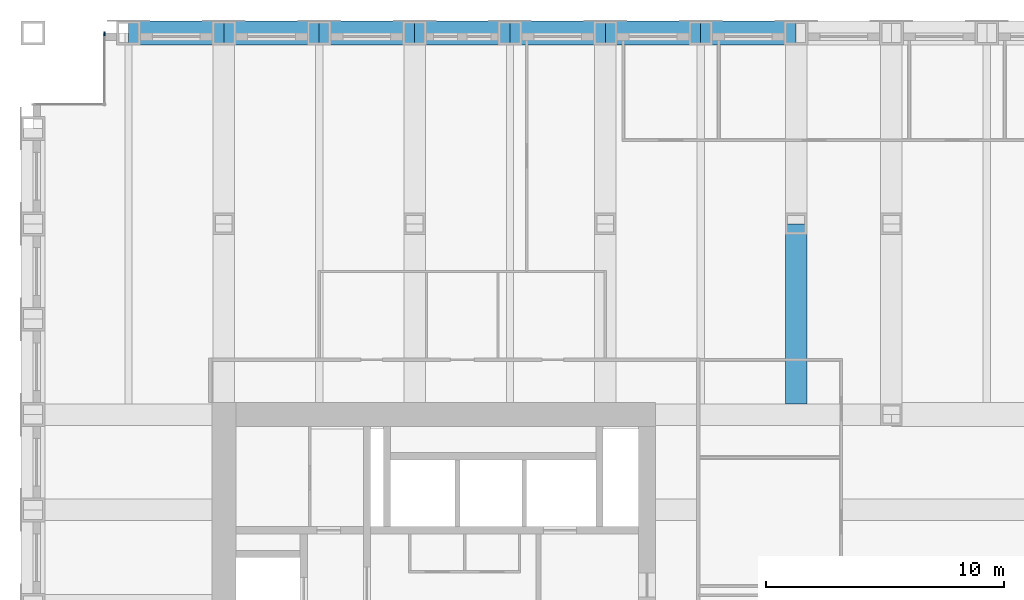
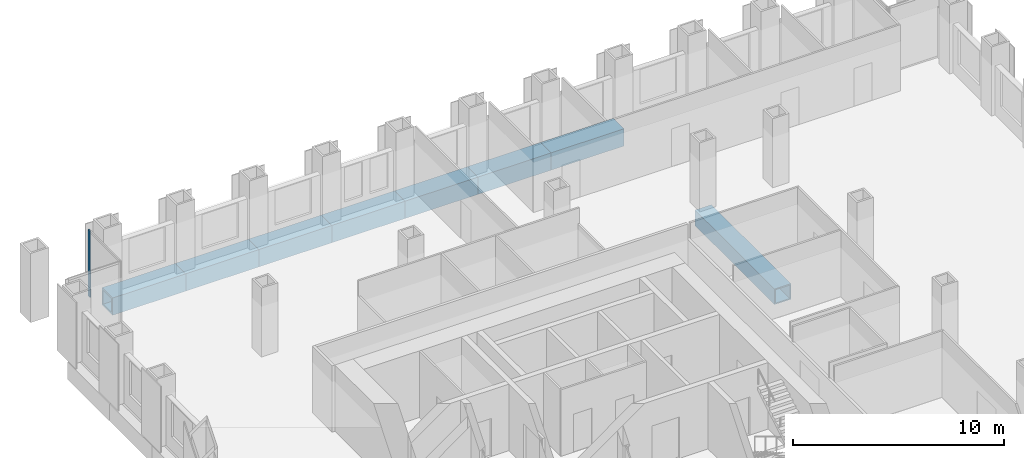
# One storey, part 8 of 15: 8 beams, 1 member, 1 element without a shape of its own.
"""IFC4 building model written with IfcOpenShell, lengths in metres."""

import ifcopenshell
import ifcopenshell.guid

model = None  # the IFC model being written
_history = None  # IfcOwnerHistory: only IFC2X3 demands one
_inside = {}  # id of a spatial element -> (the spatial element, [elements in it])
_under = {}  # id of a project, library or spatial element -> (it, [spatial elements below it])
_declared = {}  # id of a project -> (the project, [libraries it declares])
_typed = {}  # id of a type object -> (the type object, [elements of that type])
_made_of = {}  # id of a material, layer set ... -> (it, [elements and type objects made of it])


def new_model(schema):
    """Start an empty IFC model of exactly this schema.

    Asked for "IFC4X3", IfcOpenShell would pick the latest addendum, in which some entities
    have other attributes; the version numbers below select the first issue.
    IFC2X3 requires an IfcOwnerHistory on every rooted entity: one is made here for all.
    """
    global model, _history
    if schema == "IFC4X3":
        model = ifcopenshell.file(schema_version=(4, 3, 0, 0))
    else:
        model = ifcopenshell.file(schema=schema)
    _inside.clear()
    _under.clear()
    _declared.clear()
    _typed.clear()
    _made_of.clear()
    _history = None
    if model.schema == "IFC2X3":
        org = make("IfcOrganization", Name="unknown")
        user = make(
            "IfcPersonAndOrganization",
            ThePerson=make("IfcPerson", FamilyName="unknown"),
            TheOrganization=org,
        )
        app = make(
            "IfcApplication",
            ApplicationDeveloper=org,
            Version="unknown",
            ApplicationFullName="unknown",
            ApplicationIdentifier="unknown",
        )
        _history = make(
            "IfcOwnerHistory",
            OwningUser=user,
            OwningApplication=app,
            ChangeAction="ADDED",
            CreationDate=0,
        )
    return model


def make(cls, **values):
    """One entity of the class cls with the attributes given. An attribute that is None is left unset."""
    return model.create_entity(
        cls, **{name: value for name, value in values.items() if value is not None}
    )


def rooted(cls, **values):
    """An entity with a GlobalId (a new one), such as an element, a storey or a relation."""
    return make(cls, GlobalId=ifcopenshell.guid.new(), OwnerHistory=_history, **values)


def si_unit(unit_type, name, prefix=None):
    """IfcSIUnit, for example si_unit("LENGTHUNIT", "METRE", prefix="MILLI")."""
    return make("IfcSIUnit", UnitType=unit_type, Prefix=prefix, Name=name)


def assignment(units):
    """IfcUnitAssignment: the units of a project."""
    return None if units is None else make("IfcUnitAssignment", Units=units)


def point(xyz):
    """IfcCartesianPoint."""
    return None if xyz is None else make("IfcCartesianPoint", Coordinates=xyz)


def direction(xyz):
    """IfcDirection."""
    return None if xyz is None else make("IfcDirection", DirectionRatios=xyz)


def frame(location, z_axis=None, x_axis=None):
    """IfcAxis2Placement3D, a coordinate frame: its origin and axes. An axis left out is left unset."""
    return make(
        "IfcAxis2Placement3D",
        Location=point(location),
        Axis=direction(z_axis),
        RefDirection=direction(x_axis),
    )


def frame_2d(location, x_axis=None):
    """IfcAxis2Placement2D, a coordinate frame in the plane: its origin and x axis."""
    return make(
        "IfcAxis2Placement2D", Location=point(location), RefDirection=direction(x_axis)
    )


def origin():
    """The frame at (0, 0, 0) with its axes left unset."""
    return frame((0.0, 0.0, 0.0))


def origin_2d():
    """The frame at (0, 0) in the plane with its x axis left unset."""
    return frame_2d((0.0, 0.0))


def place(relative_to, where):
    """IfcLocalPlacement: puts the frame where relative to a parent placement (None: the world)."""
    return make(
        "IfcLocalPlacement", PlacementRelTo=relative_to, RelativePlacement=where
    )


def context(
    kind, dimensions, precision=None, world=None, true_north=None, identifier=None
):
    """IfcGeometricRepresentationContext, for example the 3D "Model" context."""
    return make(
        "IfcGeometricRepresentationContext",
        ContextIdentifier=identifier,
        ContextType=kind,
        CoordinateSpaceDimension=dimensions,
        Precision=precision,
        WorldCoordinateSystem=world,
        TrueNorth=true_north,
    )


def subcontext(parent, identifier, kind, view, scale=None):
    """IfcGeometricRepresentationSubContext, for example "Body" below "Model"."""
    return make(
        "IfcGeometricRepresentationSubContext",
        ContextIdentifier=identifier,
        ContextType=kind,
        ParentContext=parent,
        TargetScale=scale,
        TargetView=view,
    )


def project(units=None, contexts=None):
    """IfcProject with its units and contexts."""
    return rooted(
        "IfcProject",
        Name="project",
        RepresentationContexts=contexts,
        UnitsInContext=assignment(units),
    )


def spatial(cls, under=None, at=None, **own):
    """A site, building, storey or space (cls), placed at a placement, below another one or the project."""
    s = rooted(cls, ObjectPlacement=at, **own)
    if under is not None:
        _under.setdefault(under.id(), (under, []))[1].append(s)
    return s


def profile(cls, at=None, kind="AREA", **sizes):
    """A parametric profile (cls). Its sizes go by their IFC names, for example OverallWidth=200.0."""
    return make(cls, ProfileType=kind, Position=at, **sizes)


def rectangle(**sizes):
    """IfcRectangleProfileDef."""
    return profile("IfcRectangleProfileDef", **sizes)


def hollow_rectangle(**sizes):
    """IfcRectangleHollowProfileDef."""
    return profile("IfcRectangleHollowProfileDef", **sizes)


def extrude(swept, where, along, depth):
    """IfcExtrudedAreaSolid: the profile swept, set in the frame where, extruded along a direction by depth."""
    return make(
        "IfcExtrudedAreaSolid",
        SweptArea=swept,
        Position=where,
        ExtrudedDirection=direction(along),
        Depth=depth,
    )


def shape(context_of_items, identifier, shape_type, items):
    """IfcShapeRepresentation: the items that make up one representation, for example the "Body"."""
    return make(
        "IfcShapeRepresentation",
        ContextOfItems=context_of_items,
        RepresentationIdentifier=identifier,
        RepresentationType=shape_type,
        Items=items,
    )


def material(Name=None, Category=None):
    """IfcMaterial."""
    return make("IfcMaterial", Name=Name, Category=Category)


def material_profile(
    of_material, cross_section, Name=None, Category=None, Priority=None
):
    """IfcMaterialProfile: a cross section and its material."""
    return make(
        "IfcMaterialProfile",
        Name=Name,
        Material=of_material,
        Profile=cross_section,
        Priority=Priority,
        Category=Category,
    )


def profile_set(profiles, Name=None, composite=None):
    """IfcMaterialProfileSet."""
    return make(
        "IfcMaterialProfileSet",
        Name=Name,
        MaterialProfiles=profiles,
        CompositeProfile=composite,
    )


def made_of(thing, what):
    """Note that an element or type object is made of a material, layer set ...; save() writes the relation."""
    if what is not None:
        _made_of.setdefault(what.id(), (what, []))[1].append(thing)
    return thing


def type_object(cls, material=None, **own):
    """A type object (cls), such as IfcWallType, which elements share."""
    return made_of(rooted(cls, **own), material)


def element(
    cls,
    number,
    at=None,
    inside=None,
    cuts=None,
    type_object=None,
    material=None,
    context=None,
    identifier="Body",
    shape_type=None,
    held_by="IfcProductDefinitionShape",
    body=None,
    shapes=None,
    **own,
):
    """One element of the class cls, such as IfcWall. Its Tag is "e" and its number.

    at: its placement. inside: the storey or other place that contains it. cuts: it is an
    opening in that element (IfcRelVoidsElement). A single representation is given by context,
    identifier, shape_type and body (its items); several are given by shapes. held_by: the class
    of the entity that holds the representations. save() writes the other relations.
    """
    e = rooted(cls, Tag="e%d" % number, ObjectPlacement=at, **own)
    if body is not None:
        shapes = [shape(context, identifier, shape_type, body)]
    if shapes is not None:
        e.Representation = make(held_by, Representations=shapes)
    if inside is not None:
        _inside.setdefault(inside.id(), (inside, []))[1].append(e)
    if cuts is not None:
        rooted(
            "IfcRelVoidsElement", RelatingBuildingElement=cuts, RelatedOpeningElement=e
        )
    if type_object is not None:
        _typed.setdefault(type_object.id(), (type_object, []))[1].append(e)
    return made_of(e, material)


def aggregate(whole, parts):
    """IfcRelAggregates: a whole, such as a stair, and the parts it consists of."""
    return rooted("IfcRelAggregates", RelatingObject=whole, RelatedObjects=parts)


def save(model, path):
    """Write the relations noted so far, then the file.

    IfcRelAggregates (storeys below a building ...), IfcRelContainedInSpatialStructure (elements
    in a storey), IfcRelDefinesByType, IfcRelAssociatesMaterial and IfcRelDeclares: one each for
    every whole, place, type object, material and project.
    """
    for whole, parts in _under.values():
        aggregate(whole, parts)
    for where, things in _inside.values():
        rooted(
            "IfcRelContainedInSpatialStructure",
            RelatedElements=things,
            RelatingStructure=where,
        )
    for kind, things in _typed.values():
        rooted("IfcRelDefinesByType", RelatedObjects=things, RelatingType=kind)
    for what, things in _made_of.values():
        rooted("IfcRelAssociatesMaterial", RelatedObjects=things, RelatingMaterial=what)
    for by, libraries in _declared.values():
        rooted("IfcRelDeclares", RelatingContext=by, RelatedDefinitions=libraries)
    model.write(path)


model = new_model("IFC4")

# Units and contexts
model_context = context("Model", 3, precision=1e-05, world=origin(), true_north=direction((0.0, 1.0)))
body_context = subcontext(model_context, "Body", "Model", "MODEL_VIEW")
ifc_project = project(units=[si_unit("LENGTHUNIT", "METRE"), si_unit("AREAUNIT", "SQUARE_METRE"), si_unit("VOLUMEUNIT", "CUBIC_METRE"), si_unit("PLANEANGLEUNIT", "RADIAN"), si_unit("MASSUNIT", "GRAM", prefix="KILO")], contexts=[model_context])

# Site, building, storey
site_placement = place(None, origin())
site = spatial("IfcSite", under=ifc_project, at=site_placement, CompositionType="ELEMENT")
building_placement = place(site_placement, origin())
building = spatial("IfcBuilding", under=site, at=building_placement, Name="Rimbunsela Tower", CompositionType="ELEMENT")
storey_placement = place(building_placement, frame((0.0, 0.0, 117.39990234375)))
storey = spatial("IfcBuildingStorey", under=building, at=storey_placement, Name="L28", CompositionType="ELEMENT", Elevation=117.39990234375)

# Beams
ifc_material_1 = material(Name="Steel BJ 55 (fy 410 MPa)", Category="steel")
ifc_material_profile_1 = material_profile(ifc_material_1, hollow_rectangle(XDim=1.0, YDim=1.0, WallThickness=0.10009765625, at=origin_2d()), Name="BOX 1000x1000x100")
ifc_profile_set_1 = profile_set([ifc_material_profile_1], Name="Steel BJ 55 (fy 410 MPa)")
beam_type_1 = type_object("IfcBeamType", Name="Beam BOX 1000x1000x100", PredefinedType="BEAM", material=ifc_profile_set_1)
for number, where, z_axis, x_axis, name in (
    (1, (14.0, 52.0, -0.64990234375), (1.0, 0.0, 0.0), (0.0, 1.0, 0.0), "Beam B3 L28"),
    (2, (18.0, 52.0, -0.64990234375), (1.0, 0.0, 0.0), (0.0, 1.0, 0.0), "Beam B3 L28"),
    (3, (22.0, 52.0, -0.64990234375), (1.0, 0.0, 0.0), (0.0, 1.0, 0.0), "Beam B3 L28"),
    (4, (26.0, 52.0, -0.64990234375), (1.0, 0.0, 0.0), (0.0, 1.0, 0.0), "Beam B3 L28"),
    (5, (30.0, 52.0, -0.64990234375), (1.0, 0.0, 0.0), (0.0, 1.0, 0.0), "Beam B3 L28"),
    (6, (34.0, 52.0, -0.64990234375), (1.0, 0.0, 0.0), (0.0, 1.0, 0.0), "Beam B3 L28"),
    (7, (38.0, 52.0, -0.64990234375), (1.0, 0.0, 0.0), (0.0, 1.0, 0.0), "Beam B3 L28"),
):
    element("IfcBeam", number, at=place(storey_placement, frame(where, z_axis=z_axis, x_axis=x_axis)), inside=storey, type_object=beam_type_1, Name=name, PredefinedType="BEAM", context=body_context, shape_type="SweptSolid", body=[
        extrude(hollow_rectangle(XDim=1.0, YDim=1.0, WallThickness=0.10009765625, at=origin_2d()), origin(), (0.0, 0.0, 1.0), 4.0),
    ])
ifc_material_2 = material(Name="Steel BJ 55 (fy 410 MPa)", Category="steel")
ifc_material_profile_2 = material_profile(ifc_material_2, hollow_rectangle(XDim=0.89990234375, YDim=0.89990234375, WallThickness=0.06005859375, at=origin_2d()), Name="BOX 900x900x60")
ifc_profile_set_2 = profile_set([ifc_material_profile_2], Name="Steel BJ 55 (fy 410 MPa)")
beam_type_2 = type_object("IfcBeamType", Name="Beam BOX 900x900x60", PredefinedType="BEAM", material=ifc_profile_set_2)
beam_placement = place(storey_placement, frame((42.0, 36.449951171875, -0.599853515625), z_axis=(0.0, 1.0, 0.0), x_axis=(-1.0, 0.0, 0.0)))
element("IfcBeam", 8, at=beam_placement, inside=storey, type_object=beam_type_2, Name="Beam B1 L28", PredefinedType="BEAM", context=body_context, shape_type="SweptSolid", body=[
    extrude(hollow_rectangle(XDim=0.89990234375, YDim=0.89990234375, WallThickness=0.06005859375, at=origin_2d()), origin(), (0.0, 0.0, 1.0), 7.550048828125),
])

# Curtain wall, member
ifc_material_3 = material(Name="Aluminium curtain wall", Category="aluminium")
curtain_wall_type = type_object("IfcCurtainWallType", Name="Corner glazing", PredefinedType="USERDEFINED", material=ifc_material_3)
curtain_wall_placement = place(storey_placement, origin())
curtain_wall = element("IfcCurtainWall", 9, at=curtain_wall_placement, inside=storey, type_object=curtain_wall_type, Name="Corner glazing L28", ObjectType="CORNER GLAZING", PredefinedType="USERDEFINED")
ifc_material_4 = material(Name="Aluminium mullion", Category="aluminium")
ifc_material_profile_3 = material_profile(ifc_material_4, rectangle(XDim=0.06005859375, YDim=0.159912109375, at=origin_2d()), Name="Mullion 60x160")
ifc_profile_set_3 = profile_set([ifc_material_profile_3], Name="Aluminium mullion")
member_type = type_object("IfcMemberType", Name="Curtain wall mullion 60x160", PredefinedType="MULLION", material=ifc_profile_set_3)
member_placement = place(storey_placement, frame((13.0, 51.969970703125, 0.0), z_axis=(0.0, 0.0, 1.0), x_axis=(1.0, 0.0, 0.0)))
member = element("IfcMember", 10, at=member_placement, type_object=member_type, Name="CW5 mullion 1", PredefinedType="MULLION", context=body_context, shape_type="SweptSolid", body=[
    extrude(rectangle(XDim=0.06005859375, YDim=0.159912109375, at=origin_2d()), origin(), (0.0, 0.0, 1.0), 3.85009765625),
])
aggregate(curtain_wall, [member])

save(model, "model.ifc")
